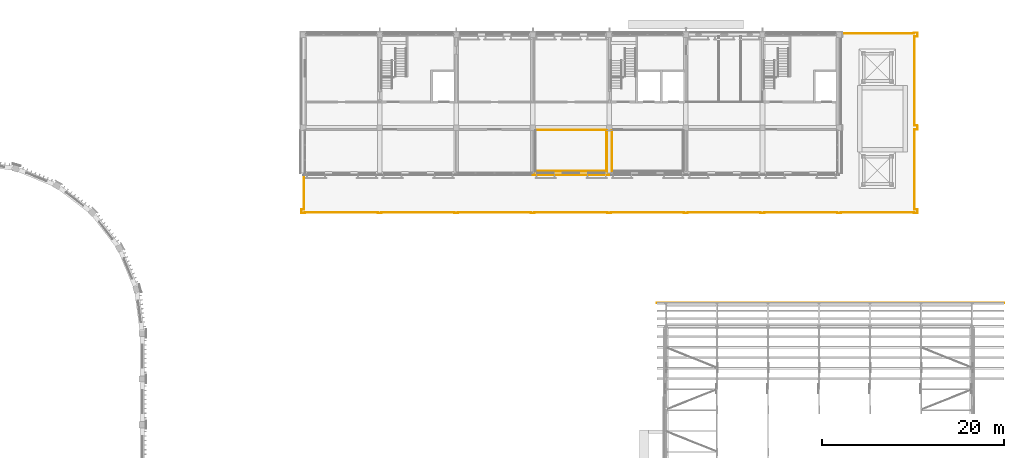
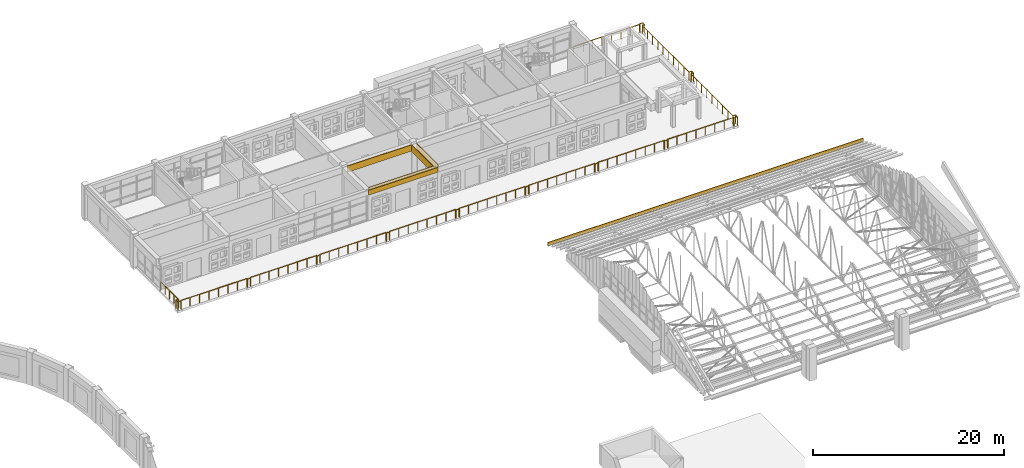
# One storey, part 68 of 71: 6 coverings, 1 railing.
"""IFC4 building model written with IfcOpenShell, lengths in metres."""

from ifc_helpers import new_model, si_unit, direction, frame, origin, origin_2d, place, context, subcontext, project, spatial, polyline, rectangle, circle, outline, extrude, material, layer, layer_set, type_object, element, save


model = new_model("IFC4")

# Units and contexts
model_context = context("Model", 3, precision=1e-05, world=origin(), true_north=direction((0.0, 1.0)))
body_context = subcontext(model_context, "Body", "Model", "MODEL_VIEW")
ifc_project = project(units=[si_unit("LENGTHUNIT", "METRE"), si_unit("AREAUNIT", "SQUARE_METRE"), si_unit("VOLUMEUNIT", "CUBIC_METRE"), si_unit("PLANEANGLEUNIT", "RADIAN"), si_unit("MASSUNIT", "GRAM", prefix="KILO")], contexts=[model_context])

# Site, building, storey
site_placement = place(None, origin())
site = spatial("IfcSite", under=ifc_project, at=site_placement, CompositionType="ELEMENT")
building_placement = place(site_placement, origin())
building = spatial("IfcBuilding", under=site, at=building_placement, Name="Wasatch Bagh Community Centre", CompositionType="ELEMENT")
storey_placement = place(building_placement, frame((0.0, 0.0, 12.60009765625)))
storey = spatial("IfcBuildingStorey", under=building, at=storey_placement, Name="L03", CompositionType="ELEMENT", Elevation=12.60009765625)

# Coverings
ifc_material_1 = material(Name="Cast stone cladding", Category="masonry")
ifc_layer_1 = layer(ifc_material_1, 0.080078125)
ifc_layer_set_1 = layer_set([ifc_layer_1], Name="Cast stone cladding")
covering_type_1 = type_object("IfcCoveringType", Name="CL-B7 beam facing", PredefinedType="CLADDING", material=ifc_layer_set_1)
covering_1_placement = place(storey_placement, frame((0.0, 0.0, 3.119873046875)))
element("IfcCovering", 1, at=covering_1_placement, inside=storey, type_object=covering_type_1, Name="Beam facing", PredefinedType="CLADDING", context=body_context, shape_type="SweptSolid", body=[
    extrude(outline(polyline([(97.89990234375, 87.375), (105.699951171875, 87.375), (105.699951171875, 87.294921875), (97.89990234375, 87.294921875), (97.89990234375, 87.375)])), origin(), (0.0, 0.0, 1.0), 0.800048828125),
])
covering_2_placement = place(storey_placement, frame((0.0, 0.0, 3.02001953125)))
element("IfcCovering", 2, at=covering_2_placement, inside=storey, type_object=covering_type_1, Name="Beam facing", PredefinedType="CLADDING", context=body_context, shape_type="SweptSolid", body=[
    extrude(outline(polyline([(106.25, 87.300048828125), (106.25, 82.81005859375), (106.330078125, 82.81005859375), (106.330078125, 87.300048828125), (106.25, 87.300048828125)])), origin(), (0.0, 0.0, 1.0), 0.89990234375),
])
covering_3_placement = place(storey_placement, frame((0.0, 0.0, 3.02001953125)))
element("IfcCovering", 3, at=covering_3_placement, inside=storey, type_object=covering_type_1, Name="Beam facing", PredefinedType="CLADDING", context=body_context, shape_type="SweptSolid", body=[
    extrude(outline(polyline([(105.75, 87.300048828125), (105.75, 82.81005859375), (105.669921875, 82.81005859375), (105.669921875, 87.300048828125), (105.75, 87.300048828125)])), origin(), (0.0, 0.0, 1.0), 0.89990234375),
])
covering_4_placement = place(storey_placement, frame((0.0, 0.0, 3.31982421875)))
element("IfcCovering", 4, at=covering_4_placement, inside=storey, type_object=covering_type_1, Name="Beam facing", PredefinedType="CLADDING", context=body_context, shape_type="SweptSolid", body=[
    extrude(outline(polyline([(97.860107421875, 82.77490234375), (105.739990234375, 82.77490234375), (105.739990234375, 82.85498046875), (97.860107421875, 82.85498046875), (97.860107421875, 82.77490234375)])), origin(), (0.0, 0.0, 1.0), 0.60009765625),
])
covering_5_placement = place(storey_placement, frame((0.0, 0.0, 3.31982421875)))
element("IfcCovering", 5, at=covering_5_placement, inside=storey, type_object=covering_type_1, Name="Beam facing", PredefinedType="CLADDING", context=body_context, shape_type="SweptSolid", body=[
    extrude(outline(polyline([(97.60009765625, 82.425048828125), (106.0, 82.425048828125), (106.0, 82.344970703125), (97.60009765625, 82.344970703125), (97.60009765625, 82.425048828125)])), origin(), (0.0, 0.0, 1.0), 0.60009765625),
])

# Railing
ifc_material_2 = material(Name="Painted steel with jali infill", Category="steel")
railing_type = type_object("IfcRailingType", Name="LW guard 1100", PredefinedType="GUARDRAIL", material=ifc_material_2)
railing_placement = place(storey_placement, frame((131.39990234375, 97.89990234375, 0.0)))
element("IfcRailing", 6, at=railing_placement, inside=storey, type_object=railing_type, Name="Terrace guard T3", PredefinedType="GUARDRAIL", context=body_context, shape_type="SweptSolid", body=[
    extrude(circle(Radius=0.02490234375, at=origin_2d()), frame((0.0, 0.0, 1.0751953125), z_axis=(1.0, 0.0, 0.0), x_axis=(0.0, 1.0, 0.0)), (0.0, 0.0, 1.0), 8.0),
    extrude(circle(Radius=0.02490234375, at=origin_2d()), frame((8.0, 0.0, 1.0751953125), z_axis=(0.0, 1.0, 0.0), x_axis=(-1.0, 0.0, 0.0)), (0.0, 0.0, 1.0), 0.10009765625),
    extrude(circle(Radius=0.02490234375, at=origin_2d()), frame((8.0, 0.10009765625, 1.0751953125), z_axis=(1.0, 0.0, 0.0), x_axis=(0.0, 1.0, 0.0)), (0.0, 0.0, 1.0), 0.400146484375),
    extrude(circle(Radius=0.02490234375, at=origin_2d()), frame((8.400146484375, 0.10009765625, 1.0751953125), z_axis=(0.0, -1.0, 0.0), x_axis=(1.0, 0.0, 0.0)), (0.0, 0.0, 1.0), 0.39990234375),
    extrude(circle(Radius=0.02490234375, at=origin_2d()), frame((8.400146484375, -0.2998046875, 1.0751953125), z_axis=(-1.0, 0.0, 0.0), x_axis=(0.0, -1.0, 0.0)), (0.0, 0.0, 1.0), 0.300048828125),
    extrude(circle(Radius=0.02490234375, at=origin_2d()), frame((8.10009765625, -0.2998046875, 1.0751953125), z_axis=(0.0, -1.0, 0.0), x_axis=(1.0, 0.0, 0.0)), (0.0, 0.0, 1.0), 9.800048828125),
    extrude(circle(Radius=0.02490234375, at=origin_2d()), frame((8.10009765625, -10.099853515625, 1.0751953125), z_axis=(1.0, 0.0, 0.0), x_axis=(0.0, 1.0, 0.0)), (0.0, 0.0, 1.0), 0.300048828125),
    extrude(circle(Radius=0.02490234375, at=origin_2d()), frame((8.400146484375, -10.099853515625, 1.0751953125), z_axis=(0.0, -1.0, 0.0), x_axis=(1.0, 0.0, 0.0)), (0.0, 0.0, 1.0), 0.400146484375),
    extrude(circle(Radius=0.02490234375, at=origin_2d()), frame((8.400146484375, -10.5, 1.0751953125), z_axis=(-1.0, 0.0, 0.0), x_axis=(0.0, -1.0, 0.0)), (0.0, 0.0, 1.0), 0.300048828125),
    extrude(circle(Radius=0.02490234375, at=origin_2d()), frame((8.10009765625, -10.5, 1.0751953125), z_axis=(0.0, -1.0, 0.0), x_axis=(1.0, 0.0, 0.0)), (0.0, 0.0, 1.0), 8.7998046875),
    extrude(circle(Radius=0.02490234375, at=origin_2d()), frame((8.10009765625, -19.2998046875, 1.0751953125), z_axis=(1.0, 0.0, 0.0), x_axis=(0.0, 1.0, 0.0)), (0.0, 0.0, 1.0), 0.300048828125),
    extrude(circle(Radius=0.02490234375, at=origin_2d()), frame((8.400146484375, -19.2998046875, 1.0751953125), z_axis=(0.0, -1.0, 0.0), x_axis=(1.0, 0.0, 0.0)), (0.0, 0.0, 1.0), 0.400146484375),
    extrude(circle(Radius=0.02490234375, at=origin_2d()), frame((8.400146484375, -19.699951171875, 1.0751953125), z_axis=(-1.0, 0.0, 0.0), x_axis=(0.0, -1.0, 0.0)), (0.0, 0.0, 1.0), 0.400146484375),
    extrude(circle(Radius=0.02490234375, at=origin_2d()), frame((8.0, -19.699951171875, 1.0751953125), z_axis=(0.0, 1.0, 0.0), x_axis=(-1.0, 0.0, 0.0)), (0.0, 0.0, 1.0), 0.10009765625),
    extrude(circle(Radius=0.02490234375, at=origin_2d()), frame((8.0, -19.599853515625, 1.0751953125), z_axis=(-1.0, 0.0, 0.0), x_axis=(0.0, -1.0, 0.0)), (0.0, 0.0, 1.0), 8.0),
    extrude(circle(Radius=0.02490234375, at=origin_2d()), frame((0.0, -19.599853515625, 1.0751953125), z_axis=(0.0, -1.0, 0.0), x_axis=(1.0, 0.0, 0.0)), (0.0, 0.0, 1.0), 0.10009765625),
    extrude(circle(Radius=0.02490234375, at=origin_2d()), frame((0.0, -19.699951171875, 1.0751953125), z_axis=(-1.0, 0.0, 0.0), x_axis=(0.0, -1.0, 0.0)), (0.0, 0.0, 1.0), 0.39990234375),
    extrude(circle(Radius=0.02490234375, at=origin_2d()), frame((-0.39990234375, -19.699951171875, 1.0751953125), z_axis=(0.0, 1.0, 0.0), x_axis=(-1.0, 0.0, 0.0)), (0.0, 0.0, 1.0), 0.10009765625),
    extrude(circle(Radius=0.02490234375, at=origin_2d()), frame((-0.39990234375, -19.599853515625, 1.0751953125), z_axis=(-1.0, 0.0, 0.0), x_axis=(0.0, -1.0, 0.0)), (0.0, 0.0, 1.0), 8.0),
    extrude(circle(Radius=0.02490234375, at=origin_2d()), frame((-8.39990234375, -19.599853515625, 1.0751953125), z_axis=(0.0, -1.0, 0.0), x_axis=(1.0, 0.0, 0.0)), (0.0, 0.0, 1.0), 0.10009765625),
    extrude(circle(Radius=0.02490234375, at=origin_2d()), frame((-8.39990234375, -19.699951171875, 1.0751953125), z_axis=(-1.0, 0.0, 0.0), x_axis=(0.0, -1.0, 0.0)), (0.0, 0.0, 1.0), 0.39990234375),
    extrude(circle(Radius=0.02490234375, at=origin_2d()), frame((-8.7998046875, -19.699951171875, 1.0751953125), z_axis=(0.0, 1.0, 0.0), x_axis=(-1.0, 0.0, 0.0)), (0.0, 0.0, 1.0), 0.10009765625),
    extrude(circle(Radius=0.02490234375, at=origin_2d()), frame((-8.7998046875, -19.599853515625, 1.0751953125), z_axis=(-1.0, 0.0, 0.0), x_axis=(0.0, -1.0, 0.0)), (0.0, 0.0, 1.0), 8.0),
    extrude(circle(Radius=0.02490234375, at=origin_2d()), frame((-16.7998046875, -19.599853515625, 1.0751953125), z_axis=(0.0, -1.0, 0.0), x_axis=(1.0, 0.0, 0.0)), (0.0, 0.0, 1.0), 0.10009765625),
    extrude(circle(Radius=0.02490234375, at=origin_2d()), frame((-16.7998046875, -19.699951171875, 1.0751953125), z_axis=(-1.0, 0.0, 0.0), x_axis=(0.0, -1.0, 0.0)), (0.0, 0.0, 1.0), 0.400146484375),
    extrude(circle(Radius=0.02490234375, at=origin_2d()), frame((-17.199951171875, -19.699951171875, 1.0751953125), z_axis=(0.0, 1.0, 0.0), x_axis=(-1.0, 0.0, 0.0)), (0.0, 0.0, 1.0), 0.10009765625),
    extrude(circle(Radius=0.02490234375, at=origin_2d()), frame((-17.199951171875, -19.599853515625, 1.0751953125), z_axis=(-1.0, 0.0, 0.0), x_axis=(0.0, -1.0, 0.0)), (0.0, 0.0, 1.0), 8.0),
    extrude(circle(Radius=0.02490234375, at=origin_2d()), frame((-25.199951171875, -19.599853515625, 1.0751953125), z_axis=(0.0, -1.0, 0.0), x_axis=(1.0, 0.0, 0.0)), (0.0, 0.0, 1.0), 0.10009765625),
    extrude(circle(Radius=0.02490234375, at=origin_2d()), frame((-25.199951171875, -19.699951171875, 1.0751953125), z_axis=(-1.0, 0.0, 0.0), x_axis=(0.0, -1.0, 0.0)), (0.0, 0.0, 1.0), 0.39990234375),
    extrude(circle(Radius=0.02490234375, at=origin_2d()), frame((-25.599853515625, -19.699951171875, 1.0751953125), z_axis=(0.0, 1.0, 0.0), x_axis=(-1.0, 0.0, 0.0)), (0.0, 0.0, 1.0), 0.10009765625),
    extrude(circle(Radius=0.02490234375, at=origin_2d()), frame((-25.599853515625, -19.599853515625, 1.0751953125), z_axis=(-1.0, 0.0, 0.0), x_axis=(0.0, -1.0, 0.0)), (0.0, 0.0, 1.0), 8.0),
    extrude(circle(Radius=0.02490234375, at=origin_2d()), frame((-33.599853515625, -19.599853515625, 1.0751953125), z_axis=(0.0, -1.0, 0.0), x_axis=(1.0, 0.0, 0.0)), (0.0, 0.0, 1.0), 0.10009765625),
    extrude(circle(Radius=0.02490234375, at=origin_2d()), frame((-33.599853515625, -19.699951171875, 1.0751953125), z_axis=(-1.0, 0.0, 0.0), x_axis=(0.0, -1.0, 0.0)), (0.0, 0.0, 1.0), 0.400146484375),
    extrude(circle(Radius=0.02490234375, at=origin_2d()), frame((-34.0, -19.699951171875, 1.0751953125), z_axis=(0.0, 1.0, 0.0), x_axis=(-1.0, 0.0, 0.0)), (0.0, 0.0, 1.0), 0.10009765625),
    extrude(circle(Radius=0.02490234375, at=origin_2d()), frame((-34.0, -19.599853515625, 1.0751953125), z_axis=(-1.0, 0.0, 0.0), x_axis=(0.0, -1.0, 0.0)), (0.0, 0.0, 1.0), 8.0),
    extrude(circle(Radius=0.02490234375, at=origin_2d()), frame((-42.0, -19.599853515625, 1.0751953125), z_axis=(0.0, -1.0, 0.0), x_axis=(1.0, 0.0, 0.0)), (0.0, 0.0, 1.0), 0.10009765625),
    extrude(circle(Radius=0.02490234375, at=origin_2d()), frame((-42.0, -19.699951171875, 1.0751953125), z_axis=(-1.0, 0.0, 0.0), x_axis=(0.0, -1.0, 0.0)), (0.0, 0.0, 1.0), 0.39990234375),
    extrude(circle(Radius=0.02490234375, at=origin_2d()), frame((-42.39990234375, -19.699951171875, 1.0751953125), z_axis=(0.0, 1.0, 0.0), x_axis=(-1.0, 0.0, 0.0)), (0.0, 0.0, 1.0), 0.10009765625),
    extrude(circle(Radius=0.02490234375, at=origin_2d()), frame((-42.39990234375, -19.599853515625, 1.0751953125), z_axis=(-1.0, 0.0, 0.0), x_axis=(0.0, -1.0, 0.0)), (0.0, 0.0, 1.0), 8.0),
    extrude(circle(Radius=0.02490234375, at=origin_2d()), frame((-50.39990234375, -19.599853515625, 1.0751953125), z_axis=(0.0, -1.0, 0.0), x_axis=(1.0, 0.0, 0.0)), (0.0, 0.0, 1.0), 0.10009765625),
    extrude(circle(Radius=0.02490234375, at=origin_2d()), frame((-50.39990234375, -19.699951171875, 1.0751953125), z_axis=(-1.0, 0.0, 0.0), x_axis=(0.0, -1.0, 0.0)), (0.0, 0.0, 1.0), 0.39990234375),
    extrude(circle(Radius=0.02490234375, at=origin_2d()), frame((-50.7998046875, -19.699951171875, 1.0751953125), z_axis=(0.0, 1.0, 0.0), x_axis=(-1.0, 0.0, 0.0)), (0.0, 0.0, 1.0), 0.10009765625),
    extrude(circle(Radius=0.02490234375, at=origin_2d()), frame((-50.7998046875, -19.599853515625, 1.0751953125), z_axis=(-1.0, 0.0, 0.0), x_axis=(0.0, -1.0, 0.0)), (0.0, 0.0, 1.0), 8.0),
    extrude(circle(Radius=0.02490234375, at=origin_2d()), frame((-58.7998046875, -19.599853515625, 1.0751953125), z_axis=(0.0, -1.0, 0.0), x_axis=(1.0, 0.0, 0.0)), (0.0, 0.0, 1.0), 0.10009765625),
    extrude(circle(Radius=0.02490234375, at=origin_2d()), frame((-58.7998046875, -19.699951171875, 1.0751953125), z_axis=(-1.0, 0.0, 0.0), x_axis=(0.0, -1.0, 0.0)), (0.0, 0.0, 1.0), 0.400146484375),
    extrude(circle(Radius=0.02490234375, at=origin_2d()), frame((-59.199951171875, -19.699951171875, 1.0751953125), z_axis=(0.0, 1.0, 0.0), x_axis=(-1.0, 0.0, 0.0)), (0.0, 0.0, 1.0), 0.400146484375),
    extrude(circle(Radius=0.02490234375, at=origin_2d()), frame((-59.199951171875, -19.2998046875, 1.0751953125), z_axis=(1.0, 0.0, 0.0), x_axis=(0.0, 1.0, 0.0)), (0.0, 0.0, 1.0), 0.300048828125),
    extrude(circle(Radius=0.02490234375, at=origin_2d()), frame((-58.89990234375, -19.2998046875, 1.0751953125), z_axis=(0.0, 1.0, 0.0), x_axis=(-1.0, 0.0, 0.0)), (0.0, 0.0, 1.0), 3.699951171875),
    extrude(circle(Radius=0.02001953125, at=origin_2d()), origin(), (0.0, 0.0, 1.0), 1.050048828125),
    extrude(circle(Radius=0.02001953125, at=origin_2d()), frame((1.142822265625, 0.0, 0.0)), (0.0, 0.0, 1.0), 1.050048828125),
    extrude(circle(Radius=0.02001953125, at=origin_2d()), frame((2.28564453125, 0.0, 0.0)), (0.0, 0.0, 1.0), 1.050048828125),
    extrude(circle(Radius=0.02001953125, at=origin_2d()), frame((3.428466796875, 0.0, 0.0)), (0.0, 0.0, 1.0), 1.050048828125),
    extrude(circle(Radius=0.02001953125, at=origin_2d()), frame((4.571533203125, 0.0, 0.0)), (0.0, 0.0, 1.0), 1.050048828125),
    extrude(circle(Radius=0.02001953125, at=origin_2d()), frame((5.71435546875, 0.0, 0.0)), (0.0, 0.0, 1.0), 1.050048828125),
    extrude(circle(Radius=0.02001953125, at=origin_2d()), frame((6.857177734375, 0.0, 0.0)), (0.0, 0.0, 1.0), 1.050048828125),
    extrude(circle(Radius=0.02001953125, at=origin_2d()), frame((8.0, 0.0, 0.0)), (0.0, 0.0, 1.0), 1.050048828125),
    extrude(circle(Radius=0.02001953125, at=origin_2d()), frame((8.0, 0.10009765625, 0.0)), (0.0, 0.0, 1.0), 1.050048828125),
    extrude(circle(Radius=0.02001953125, at=origin_2d()), frame((8.400146484375, 0.10009765625, 0.0)), (0.0, 0.0, 1.0), 1.050048828125),
    extrude(circle(Radius=0.02001953125, at=origin_2d()), frame((8.400146484375, -0.2998046875, 0.0)), (0.0, 0.0, 1.0), 1.050048828125),
    extrude(circle(Radius=0.02001953125, at=origin_2d()), frame((8.10009765625, -0.2998046875, 0.0)), (0.0, 0.0, 1.0), 1.050048828125),
    extrude(circle(Radius=0.02001953125, at=origin_2d()), frame((8.10009765625, -1.388671875, 0.0)), (0.0, 0.0, 1.0), 1.050048828125),
    extrude(circle(Radius=0.02001953125, at=origin_2d()), frame((8.10009765625, -2.4775390625, 0.0)), (0.0, 0.0, 1.0), 1.050048828125),
    extrude(circle(Radius=0.02001953125, at=origin_2d()), frame((8.10009765625, -3.56640625, 0.0)), (0.0, 0.0, 1.0), 1.050048828125),
    extrude(circle(Radius=0.02001953125, at=origin_2d()), frame((8.10009765625, -4.6552734375, 0.0)), (0.0, 0.0, 1.0), 1.050048828125),
    extrude(circle(Radius=0.02001953125, at=origin_2d()), frame((8.10009765625, -5.744384765625, 0.0)), (0.0, 0.0, 1.0), 1.050048828125),
    extrude(circle(Radius=0.02001953125, at=origin_2d()), frame((8.10009765625, -6.833251953125, 0.0)), (0.0, 0.0, 1.0), 1.050048828125),
    extrude(circle(Radius=0.02001953125, at=origin_2d()), frame((8.10009765625, -7.922119140625, 0.0)), (0.0, 0.0, 1.0), 1.050048828125),
    extrude(circle(Radius=0.02001953125, at=origin_2d()), frame((8.10009765625, -9.010986328125, 0.0)), (0.0, 0.0, 1.0), 1.050048828125),
    extrude(circle(Radius=0.02001953125, at=origin_2d()), frame((8.10009765625, -10.099853515625, 0.0)), (0.0, 0.0, 1.0), 1.050048828125),
    extrude(circle(Radius=0.02001953125, at=origin_2d()), frame((8.400146484375, -10.099853515625, 0.0)), (0.0, 0.0, 1.0), 1.050048828125),
    extrude(circle(Radius=0.02001953125, at=origin_2d()), frame((8.400146484375, -10.5, 0.0)), (0.0, 0.0, 1.0), 1.050048828125),
    extrude(circle(Radius=0.02001953125, at=origin_2d()), frame((8.10009765625, -10.5, 0.0)), (0.0, 0.0, 1.0), 1.050048828125),
    extrude(circle(Radius=0.02001953125, at=origin_2d()), frame((8.10009765625, -11.60009765625, 0.0)), (0.0, 0.0, 1.0), 1.050048828125),
    extrude(circle(Radius=0.02001953125, at=origin_2d()), frame((8.10009765625, -12.699951171875, 0.0)), (0.0, 0.0, 1.0), 1.050048828125),
    extrude(circle(Radius=0.02001953125, at=origin_2d()), frame((8.10009765625, -13.7998046875, 0.0)), (0.0, 0.0, 1.0), 1.050048828125),
    extrude(circle(Radius=0.02001953125, at=origin_2d()), frame((8.10009765625, -14.89990234375, 0.0)), (0.0, 0.0, 1.0), 1.050048828125),
    extrude(circle(Radius=0.02001953125, at=origin_2d()), frame((8.10009765625, -16.0, 0.0)), (0.0, 0.0, 1.0), 1.050048828125),
    extrude(circle(Radius=0.02001953125, at=origin_2d()), frame((8.10009765625, -17.099853515625, 0.0)), (0.0, 0.0, 1.0), 1.050048828125),
    extrude(circle(Radius=0.02001953125, at=origin_2d()), frame((8.10009765625, -18.19970703125, 0.0)), (0.0, 0.0, 1.0), 1.050048828125),
    extrude(circle(Radius=0.02001953125, at=origin_2d()), frame((8.10009765625, -19.2998046875, 0.0)), (0.0, 0.0, 1.0), 1.050048828125),
    extrude(circle(Radius=0.02001953125, at=origin_2d()), frame((8.400146484375, -19.2998046875, 0.0)), (0.0, 0.0, 1.0), 1.050048828125),
    extrude(circle(Radius=0.02001953125, at=origin_2d()), frame((8.400146484375, -19.699951171875, 0.0)), (0.0, 0.0, 1.0), 1.050048828125),
    extrude(circle(Radius=0.02001953125, at=origin_2d()), frame((8.0, -19.699951171875, 0.0)), (0.0, 0.0, 1.0), 1.050048828125),
    extrude(circle(Radius=0.02001953125, at=origin_2d()), frame((8.0, -19.599853515625, 0.0)), (0.0, 0.0, 1.0), 1.050048828125),
    extrude(circle(Radius=0.02001953125, at=origin_2d()), frame((6.857177734375, -19.599853515625, 0.0)), (0.0, 0.0, 1.0), 1.050048828125),
    extrude(circle(Radius=0.02001953125, at=origin_2d()), frame((5.71435546875, -19.599853515625, 0.0)), (0.0, 0.0, 1.0), 1.050048828125),
    extrude(circle(Radius=0.02001953125, at=origin_2d()), frame((4.571533203125, -19.599853515625, 0.0)), (0.0, 0.0, 1.0), 1.050048828125),
    extrude(circle(Radius=0.02001953125, at=origin_2d()), frame((3.428466796875, -19.599853515625, 0.0)), (0.0, 0.0, 1.0), 1.050048828125),
    extrude(circle(Radius=0.02001953125, at=origin_2d()), frame((2.28564453125, -19.599853515625, 0.0)), (0.0, 0.0, 1.0), 1.050048828125),
    extrude(circle(Radius=0.02001953125, at=origin_2d()), frame((1.142822265625, -19.599853515625, 0.0)), (0.0, 0.0, 1.0), 1.050048828125),
    extrude(circle(Radius=0.02001953125, at=origin_2d()), frame((0.0, -19.599853515625, 0.0)), (0.0, 0.0, 1.0), 1.050048828125),
    extrude(circle(Radius=0.02001953125, at=origin_2d()), frame((0.0, -19.699951171875, 0.0)), (0.0, 0.0, 1.0), 1.050048828125),
    extrude(circle(Radius=0.02001953125, at=origin_2d()), frame((-0.39990234375, -19.699951171875, 0.0)), (0.0, 0.0, 1.0), 1.050048828125),
    extrude(circle(Radius=0.02001953125, at=origin_2d()), frame((-0.39990234375, -19.599853515625, 0.0)), (0.0, 0.0, 1.0), 1.050048828125),
    extrude(circle(Radius=0.02001953125, at=origin_2d()), frame((-1.542724609375, -19.599853515625, 0.0)), (0.0, 0.0, 1.0), 1.050048828125),
    extrude(circle(Radius=0.02001953125, at=origin_2d()), frame((-2.685546875, -19.599853515625, 0.0)), (0.0, 0.0, 1.0), 1.050048828125),
    extrude(circle(Radius=0.02001953125, at=origin_2d()), frame((-3.828369140625, -19.599853515625, 0.0)), (0.0, 0.0, 1.0), 1.050048828125),
    extrude(circle(Radius=0.02001953125, at=origin_2d()), frame((-4.971435546875, -19.599853515625, 0.0)), (0.0, 0.0, 1.0), 1.050048828125),
    extrude(circle(Radius=0.02001953125, at=origin_2d()), frame((-6.1142578125, -19.599853515625, 0.0)), (0.0, 0.0, 1.0), 1.050048828125),
    extrude(circle(Radius=0.02001953125, at=origin_2d()), frame((-7.257080078125, -19.599853515625, 0.0)), (0.0, 0.0, 1.0), 1.050048828125),
    extrude(circle(Radius=0.02001953125, at=origin_2d()), frame((-8.39990234375, -19.599853515625, 0.0)), (0.0, 0.0, 1.0), 1.050048828125),
    extrude(circle(Radius=0.02001953125, at=origin_2d()), frame((-8.39990234375, -19.699951171875, 0.0)), (0.0, 0.0, 1.0), 1.050048828125),
    extrude(circle(Radius=0.02001953125, at=origin_2d()), frame((-8.7998046875, -19.699951171875, 0.0)), (0.0, 0.0, 1.0), 1.050048828125),
    extrude(circle(Radius=0.02001953125, at=origin_2d()), frame((-8.7998046875, -19.599853515625, 0.0)), (0.0, 0.0, 1.0), 1.050048828125),
    extrude(circle(Radius=0.02001953125, at=origin_2d()), frame((-9.942626953125, -19.599853515625, 0.0)), (0.0, 0.0, 1.0), 1.050048828125),
    extrude(circle(Radius=0.02001953125, at=origin_2d()), frame((-11.08544921875, -19.599853515625, 0.0)), (0.0, 0.0, 1.0), 1.050048828125),
    extrude(circle(Radius=0.02001953125, at=origin_2d()), frame((-12.228271484375, -19.599853515625, 0.0)), (0.0, 0.0, 1.0), 1.050048828125),
    extrude(circle(Radius=0.02001953125, at=origin_2d()), frame((-13.371337890625, -19.599853515625, 0.0)), (0.0, 0.0, 1.0), 1.050048828125),
    extrude(circle(Radius=0.02001953125, at=origin_2d()), frame((-14.51416015625, -19.599853515625, 0.0)), (0.0, 0.0, 1.0), 1.050048828125),
    extrude(circle(Radius=0.02001953125, at=origin_2d()), frame((-15.656982421875, -19.599853515625, 0.0)), (0.0, 0.0, 1.0), 1.050048828125),
    extrude(circle(Radius=0.02001953125, at=origin_2d()), frame((-16.7998046875, -19.599853515625, 0.0)), (0.0, 0.0, 1.0), 1.050048828125),
    extrude(circle(Radius=0.02001953125, at=origin_2d()), frame((-16.7998046875, -19.699951171875, 0.0)), (0.0, 0.0, 1.0), 1.050048828125),
    extrude(circle(Radius=0.02001953125, at=origin_2d()), frame((-17.199951171875, -19.699951171875, 0.0)), (0.0, 0.0, 1.0), 1.050048828125),
    extrude(circle(Radius=0.02001953125, at=origin_2d()), frame((-17.199951171875, -19.599853515625, 0.0)), (0.0, 0.0, 1.0), 1.050048828125),
    extrude(circle(Radius=0.02001953125, at=origin_2d()), frame((-18.3427734375, -19.599853515625, 0.0)), (0.0, 0.0, 1.0), 1.050048828125),
    extrude(circle(Radius=0.02001953125, at=origin_2d()), frame((-19.485595703125, -19.599853515625, 0.0)), (0.0, 0.0, 1.0), 1.050048828125),
    extrude(circle(Radius=0.02001953125, at=origin_2d()), frame((-20.62841796875, -19.599853515625, 0.0)), (0.0, 0.0, 1.0), 1.050048828125),
    extrude(circle(Radius=0.02001953125, at=origin_2d()), frame((-21.771484375, -19.599853515625, 0.0)), (0.0, 0.0, 1.0), 1.050048828125),
    extrude(circle(Radius=0.02001953125, at=origin_2d()), frame((-22.914306640625, -19.599853515625, 0.0)), (0.0, 0.0, 1.0), 1.050048828125),
    extrude(circle(Radius=0.02001953125, at=origin_2d()), frame((-24.05712890625, -19.599853515625, 0.0)), (0.0, 0.0, 1.0), 1.050048828125),
    extrude(circle(Radius=0.02001953125, at=origin_2d()), frame((-25.199951171875, -19.599853515625, 0.0)), (0.0, 0.0, 1.0), 1.050048828125),
    extrude(circle(Radius=0.02001953125, at=origin_2d()), frame((-25.199951171875, -19.699951171875, 0.0)), (0.0, 0.0, 1.0), 1.050048828125),
    extrude(circle(Radius=0.02001953125, at=origin_2d()), frame((-25.599853515625, -19.699951171875, 0.0)), (0.0, 0.0, 1.0), 1.050048828125),
    extrude(circle(Radius=0.02001953125, at=origin_2d()), frame((-25.599853515625, -19.599853515625, 0.0)), (0.0, 0.0, 1.0), 1.050048828125),
    extrude(circle(Radius=0.02001953125, at=origin_2d()), frame((-26.74267578125, -19.599853515625, 0.0)), (0.0, 0.0, 1.0), 1.050048828125),
    extrude(circle(Radius=0.02001953125, at=origin_2d()), frame((-27.885498046875, -19.599853515625, 0.0)), (0.0, 0.0, 1.0), 1.050048828125),
    extrude(circle(Radius=0.02001953125, at=origin_2d()), frame((-29.0283203125, -19.599853515625, 0.0)), (0.0, 0.0, 1.0), 1.050048828125),
    extrude(circle(Radius=0.02001953125, at=origin_2d()), frame((-30.17138671875, -19.599853515625, 0.0)), (0.0, 0.0, 1.0), 1.050048828125),
    extrude(circle(Radius=0.02001953125, at=origin_2d()), frame((-31.314208984375, -19.599853515625, 0.0)), (0.0, 0.0, 1.0), 1.050048828125),
    extrude(circle(Radius=0.02001953125, at=origin_2d()), frame((-32.45703125, -19.599853515625, 0.0)), (0.0, 0.0, 1.0), 1.050048828125),
    extrude(circle(Radius=0.02001953125, at=origin_2d()), frame((-33.599853515625, -19.599853515625, 0.0)), (0.0, 0.0, 1.0), 1.050048828125),
    extrude(circle(Radius=0.02001953125, at=origin_2d()), frame((-33.599853515625, -19.699951171875, 0.0)), (0.0, 0.0, 1.0), 1.050048828125),
    extrude(circle(Radius=0.02001953125, at=origin_2d()), frame((-34.0, -19.699951171875, 0.0)), (0.0, 0.0, 1.0), 1.050048828125),
    extrude(circle(Radius=0.02001953125, at=origin_2d()), frame((-34.0, -19.599853515625, 0.0)), (0.0, 0.0, 1.0), 1.050048828125),
    extrude(circle(Radius=0.02001953125, at=origin_2d()), frame((-35.142822265625, -19.599853515625, 0.0)), (0.0, 0.0, 1.0), 1.050048828125),
    extrude(circle(Radius=0.02001953125, at=origin_2d()), frame((-36.28564453125, -19.599853515625, 0.0)), (0.0, 0.0, 1.0), 1.050048828125),
    extrude(circle(Radius=0.02001953125, at=origin_2d()), frame((-37.428466796875, -19.599853515625, 0.0)), (0.0, 0.0, 1.0), 1.050048828125),
    extrude(circle(Radius=0.02001953125, at=origin_2d()), frame((-38.571533203125, -19.599853515625, 0.0)), (0.0, 0.0, 1.0), 1.050048828125),
    extrude(circle(Radius=0.02001953125, at=origin_2d()), frame((-39.71435546875, -19.599853515625, 0.0)), (0.0, 0.0, 1.0), 1.050048828125),
    extrude(circle(Radius=0.02001953125, at=origin_2d()), frame((-40.857177734375, -19.599853515625, 0.0)), (0.0, 0.0, 1.0), 1.050048828125),
    extrude(circle(Radius=0.02001953125, at=origin_2d()), frame((-42.0, -19.599853515625, 0.0)), (0.0, 0.0, 1.0), 1.050048828125),
    extrude(circle(Radius=0.02001953125, at=origin_2d()), frame((-42.0, -19.699951171875, 0.0)), (0.0, 0.0, 1.0), 1.050048828125),
    extrude(circle(Radius=0.02001953125, at=origin_2d()), frame((-42.39990234375, -19.699951171875, 0.0)), (0.0, 0.0, 1.0), 1.050048828125),
    extrude(circle(Radius=0.02001953125, at=origin_2d()), frame((-42.39990234375, -19.599853515625, 0.0)), (0.0, 0.0, 1.0), 1.050048828125),
    extrude(circle(Radius=0.02001953125, at=origin_2d()), frame((-43.542724609375, -19.599853515625, 0.0)), (0.0, 0.0, 1.0), 1.050048828125),
    extrude(circle(Radius=0.02001953125, at=origin_2d()), frame((-44.685546875, -19.599853515625, 0.0)), (0.0, 0.0, 1.0), 1.050048828125),
    extrude(circle(Radius=0.02001953125, at=origin_2d()), frame((-45.828369140625, -19.599853515625, 0.0)), (0.0, 0.0, 1.0), 1.050048828125),
    extrude(circle(Radius=0.02001953125, at=origin_2d()), frame((-46.971435546875, -19.599853515625, 0.0)), (0.0, 0.0, 1.0), 1.050048828125),
    extrude(circle(Radius=0.02001953125, at=origin_2d()), frame((-48.1142578125, -19.599853515625, 0.0)), (0.0, 0.0, 1.0), 1.050048828125),
    extrude(circle(Radius=0.02001953125, at=origin_2d()), frame((-49.257080078125, -19.599853515625, 0.0)), (0.0, 0.0, 1.0), 1.050048828125),
    extrude(circle(Radius=0.02001953125, at=origin_2d()), frame((-50.39990234375, -19.599853515625, 0.0)), (0.0, 0.0, 1.0), 1.050048828125),
    extrude(circle(Radius=0.02001953125, at=origin_2d()), frame((-50.39990234375, -19.699951171875, 0.0)), (0.0, 0.0, 1.0), 1.050048828125),
    extrude(circle(Radius=0.02001953125, at=origin_2d()), frame((-50.7998046875, -19.699951171875, 0.0)), (0.0, 0.0, 1.0), 1.050048828125),
    extrude(circle(Radius=0.02001953125, at=origin_2d()), frame((-50.7998046875, -19.599853515625, 0.0)), (0.0, 0.0, 1.0), 1.050048828125),
    extrude(circle(Radius=0.02001953125, at=origin_2d()), frame((-51.942626953125, -19.599853515625, 0.0)), (0.0, 0.0, 1.0), 1.050048828125),
    extrude(circle(Radius=0.02001953125, at=origin_2d()), frame((-53.08544921875, -19.599853515625, 0.0)), (0.0, 0.0, 1.0), 1.050048828125),
    extrude(circle(Radius=0.02001953125, at=origin_2d()), frame((-54.228271484375, -19.599853515625, 0.0)), (0.0, 0.0, 1.0), 1.050048828125),
    extrude(circle(Radius=0.02001953125, at=origin_2d()), frame((-55.371337890625, -19.599853515625, 0.0)), (0.0, 0.0, 1.0), 1.050048828125),
    extrude(circle(Radius=0.02001953125, at=origin_2d()), frame((-56.51416015625, -19.599853515625, 0.0)), (0.0, 0.0, 1.0), 1.050048828125),
    extrude(circle(Radius=0.02001953125, at=origin_2d()), frame((-57.656982421875, -19.599853515625, 0.0)), (0.0, 0.0, 1.0), 1.050048828125),
    extrude(circle(Radius=0.02001953125, at=origin_2d()), frame((-58.7998046875, -19.599853515625, 0.0)), (0.0, 0.0, 1.0), 1.050048828125),
    extrude(circle(Radius=0.02001953125, at=origin_2d()), frame((-58.7998046875, -19.699951171875, 0.0)), (0.0, 0.0, 1.0), 1.050048828125),
    extrude(circle(Radius=0.02001953125, at=origin_2d()), frame((-59.199951171875, -19.699951171875, 0.0)), (0.0, 0.0, 1.0), 1.050048828125),
    extrude(circle(Radius=0.02001953125, at=origin_2d()), frame((-59.199951171875, -19.2998046875, 0.0)), (0.0, 0.0, 1.0), 1.050048828125),
    extrude(circle(Radius=0.02001953125, at=origin_2d()), frame((-58.89990234375, -19.2998046875, 0.0)), (0.0, 0.0, 1.0), 1.050048828125),
    extrude(circle(Radius=0.02001953125, at=origin_2d()), frame((-58.89990234375, -18.374755859375, 0.0)), (0.0, 0.0, 1.0), 1.050048828125),
    extrude(circle(Radius=0.02001953125, at=origin_2d()), frame((-58.89990234375, -17.44970703125, 0.0)), (0.0, 0.0, 1.0), 1.050048828125),
    extrude(circle(Radius=0.02001953125, at=origin_2d()), frame((-58.89990234375, -16.52490234375, 0.0)), (0.0, 0.0, 1.0), 1.050048828125),
    extrude(circle(Radius=0.02001953125, at=origin_2d()), frame((-58.89990234375, -15.599853515625, 0.0)), (0.0, 0.0, 1.0), 1.050048828125),
])

# Covering
ifc_material_3 = material(Name="ASTM A653 Grade 50 steel, zinc-aluminium coated", Category="steel")
ifc_layer_2 = layer(ifc_material_3, 0.080078125)
ifc_layer_set_2 = layer_set([ifc_layer_2], Name="ASTM A653 Grade 50 steel, zinc-aluminium coated")
covering_type_2 = type_object("IfcCoveringType", Name="SH eave fascia 450x80", PredefinedType="CLADDING", material=ifc_layer_set_2)
covering_6_placement = place(storey_placement, frame((130.25, 68.340087890625, 0.58056640625), z_axis=(0.0, 0.0, 1.0), x_axis=(1.0, 0.0, 0.0)))
element("IfcCovering", 7, at=covering_6_placement, inside=storey, type_object=covering_type_2, Name="Eave fascia N", PredefinedType="CLADDING", context=body_context, shape_type="SweptSolid", body=[
    extrude(rectangle(XDim=38.10009765625, YDim=0.080078125, at=origin_2d()), origin(), (0.0, 0.0, 1.0), 0.449951171875),
])

save(model, "model.ifc")
